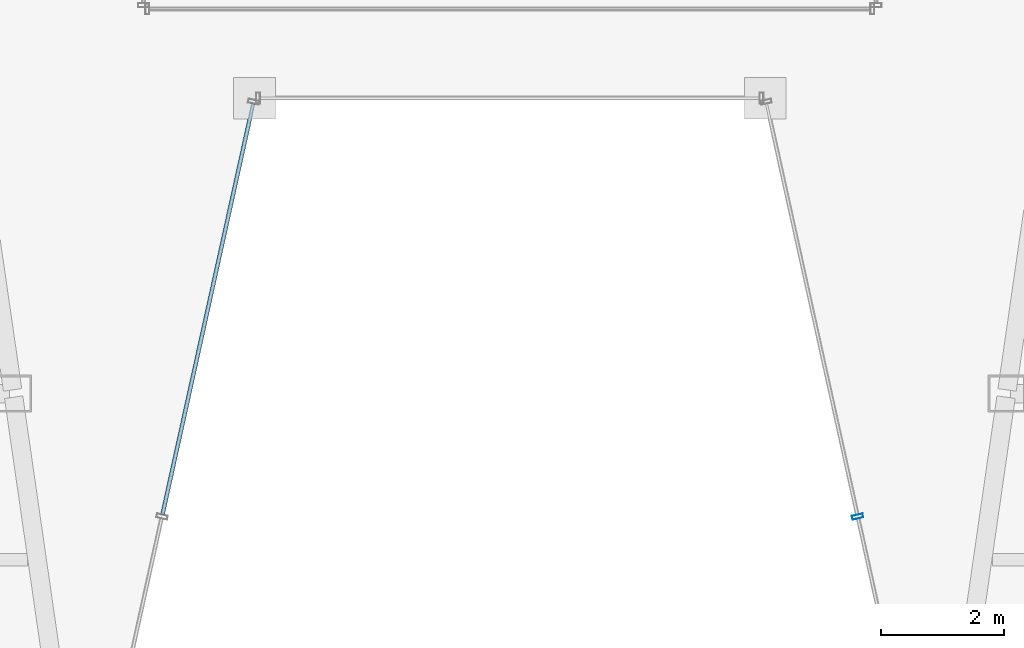
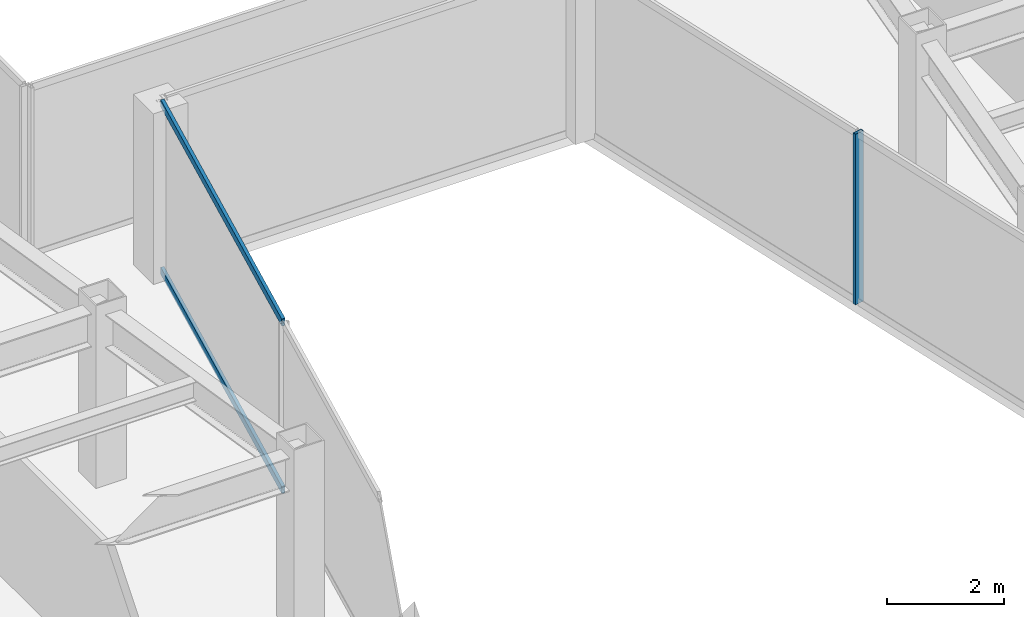
# One storey, part 7 of 40: 3 members, 2 elements without a shape of their own.
"""IFC4 building model written with IfcOpenShell, lengths in metres."""

from ifc_helpers import new_model, si_unit, direction, frame, origin, origin_2d, place, context, subcontext, project, spatial, hollow_rectangle, extrude, material, material_profile, profile_set, type_object, element, aggregate, save


model = new_model("IFC4")

# Units and contexts
model_context = context("Model", 3, precision=1e-05, world=origin(), true_north=direction((0.0, 1.0)))
body_context = subcontext(model_context, "Body", "Model", "MODEL_VIEW")
ifc_project = project(units=[si_unit("LENGTHUNIT", "METRE"), si_unit("AREAUNIT", "SQUARE_METRE"), si_unit("VOLUMEUNIT", "CUBIC_METRE"), si_unit("PLANEANGLEUNIT", "RADIAN"), si_unit("MASSUNIT", "GRAM", prefix="KILO")], contexts=[model_context])

# Site, building, storey
site_placement = place(None, origin())
site = spatial("IfcSite", under=ifc_project, at=site_placement, CompositionType="ELEMENT")
building_placement = place(site_placement, origin())
building = spatial("IfcBuilding", under=site, at=building_placement, Name="Saevonmaru Cultural Tower", CompositionType="ELEMENT")
storey_placement = place(building_placement, frame((0.0, 0.0, 129.60009765625)))
storey = spatial("IfcBuildingStorey", under=building, at=storey_placement, Name="L27", CompositionType="ELEMENT", Elevation=129.60009765625)

# Curtain wall, member
ifc_material = material(Name="Satin Bronze Anodised Aluminium", Category="aluminium")
curtain_wall_type = type_object("IfcCurtainWallType", Name="CW-SKY-GLZ", PredefinedType="NOTDEFINED", material=ifc_material)
curtain_wall_1_placement = place(storey_placement, origin())
curtain_wall_1 = element("IfcCurtainWall", 1, at=curtain_wall_1_placement, inside=storey, type_object=curtain_wall_type, Name="L27 Unitised Curtain Wall E5", PredefinedType="NOTDEFINED")
ifc_material_profile_1 = material_profile(ifc_material, hollow_rectangle(XDim=0.06494140625, YDim=0.179931640625, WallThickness=0.00390625, at=origin_2d()), Name="ALU-MULL-180x65x4")
ifc_profile_set_1 = profile_set([ifc_material_profile_1], Name="Satin Bronze Anodised Aluminium")
member_type_1 = type_object("IfcMemberType", Name="ML-CW-180x65", PredefinedType="MULLION", material=ifc_profile_set_1)
member_1_placement = place(storey_placement, frame((35.651123046875, 14.0, 0.0), z_axis=(0.0, 0.0, 1.0), x_axis=(0.215413319953, -0.976522965212, 0.0)))
member_1 = element("IfcMember", 2, at=member_1_placement, type_object=member_type_1, Name="CW-TW-L27-E5 mullion 2", PredefinedType="MULLION", context=body_context, shape_type="SweptSolid", body=[
    extrude(hollow_rectangle(XDim=0.06494140625, YDim=0.179931640625, WallThickness=0.00390625, at=origin_2d()), origin(), (0.0, 0.0, 1.0), 3.5498046875),
])
aggregate(curtain_wall_1, [member_1])

# Curtain wall, members
curtain_wall_2_placement = place(storey_placement, origin())
curtain_wall_2 = element("IfcCurtainWall", 3, at=curtain_wall_2_placement, inside=storey, type_object=curtain_wall_type, Name="L27 Unitised Curtain Wall E3", PredefinedType="NOTDEFINED")
ifc_material_profile_2 = material_profile(ifc_material, hollow_rectangle(XDim=0.06494140625, YDim=0.14990234375, WallThickness=0.00390625, at=origin_2d()), Name="ALU-TRAN-150x65x4")
ifc_profile_set_2 = profile_set([ifc_material_profile_2], Name="Satin Bronze Anodised Aluminium")
member_type_2 = type_object("IfcMemberType", Name="TR-CW-150x65", PredefinedType="USERDEFINED", material=ifc_profile_set_2)
member_2_placement = place(storey_placement, frame((24.35595703125, 14.03173828125, 0.032470703125), z_axis=(0.215418166944, 0.976521895991, 0.0), x_axis=(-0.976521895991, 0.215418166944, 0.0)))
member_2 = element("IfcMember", 4, at=member_2_placement, type_object=member_type_2, Name="CW-TW-L27-E3 transom 2.1", ObjectType="TRANSOM", PredefinedType="USERDEFINED", context=body_context, shape_type="SweptSolid", body=[
    extrude(hollow_rectangle(XDim=0.06494140625, YDim=0.14990234375, WallThickness=0.00390625, at=origin_2d()), origin(), (0.0, 0.0, 1.0), 6.838623046875),
])
member_3_placement = place(storey_placement, frame((24.35595703125, 14.03173828125, 3.517333984375), z_axis=(0.215418166944, 0.976521895991, 0.0), x_axis=(-0.976521895991, 0.215418166944, 0.0)))
member_3 = element("IfcMember", 5, at=member_3_placement, type_object=member_type_2, Name="CW-TW-L27-E3 transom 2.2", ObjectType="TRANSOM", PredefinedType="USERDEFINED", context=body_context, shape_type="SweptSolid", body=[
    extrude(hollow_rectangle(XDim=0.06494140625, YDim=0.14990234375, WallThickness=0.00390625, at=origin_2d()), origin(), (0.0, 0.0, 1.0), 6.838623046875),
])
aggregate(curtain_wall_2, [member_2, member_3])

save(model, "model.ifc")
